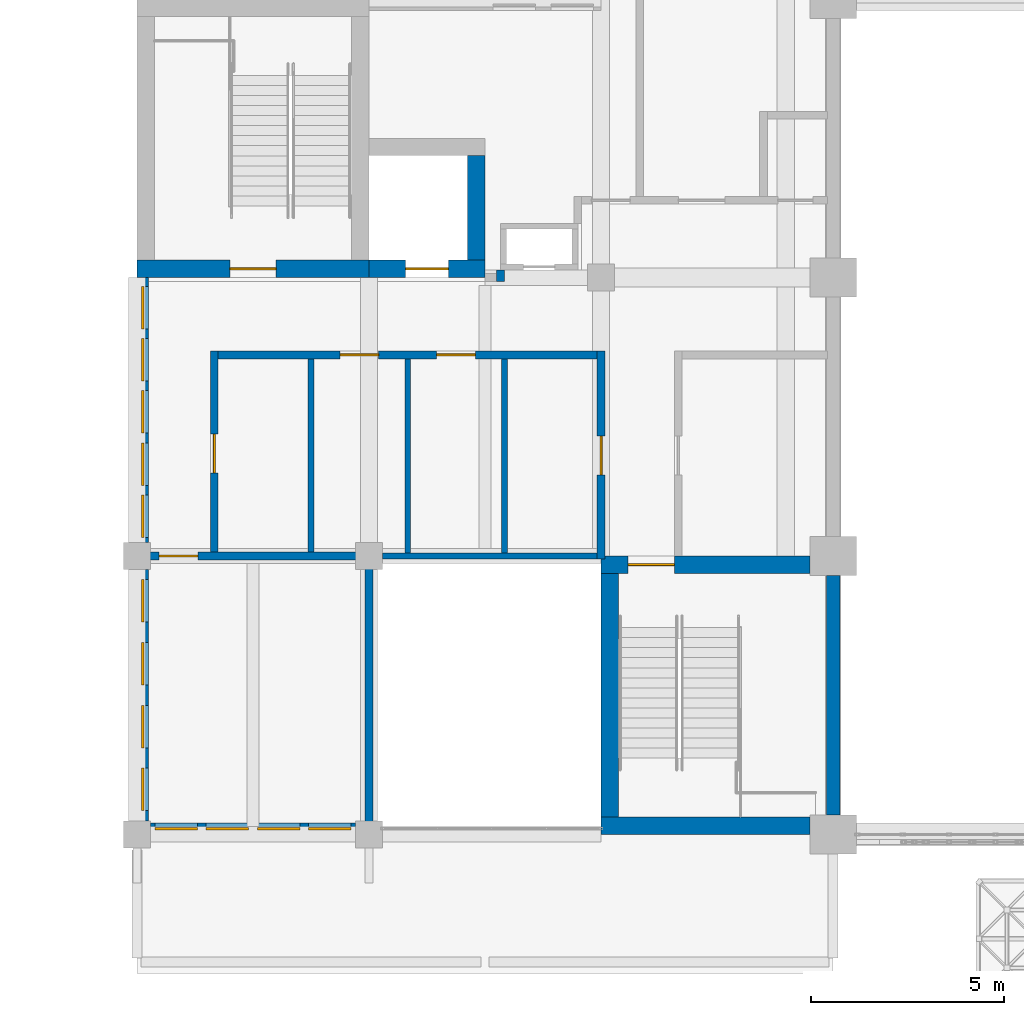
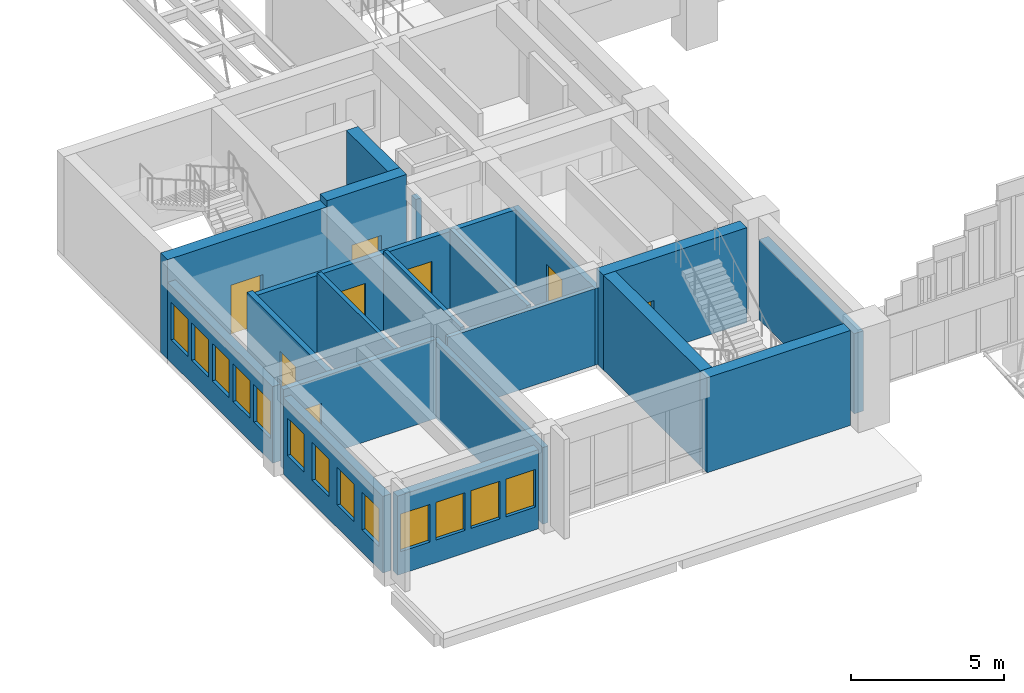
# One storey, part 62 of 103: 20 walls, 13 windows, 8 doors, 21 openings.
"""IFC4 building model written with IfcOpenShell, lengths in metres."""

import ifcopenshell
import ifcopenshell.guid

model = None  # the IFC model being written
_history = None  # IfcOwnerHistory: only IFC2X3 demands one
_inside = {}  # id of a spatial element -> (the spatial element, [elements in it])
_under = {}  # id of a project, library or spatial element -> (it, [spatial elements below it])
_declared = {}  # id of a project -> (the project, [libraries it declares])
_typed = {}  # id of a type object -> (the type object, [elements of that type])
_made_of = {}  # id of a material, layer set ... -> (it, [elements and type objects made of it])


def new_model(schema):
    """Start an empty IFC model of exactly this schema.

    Asked for "IFC4X3", IfcOpenShell would pick the latest addendum, in which some entities
    have other attributes; the version numbers below select the first issue.
    IFC2X3 requires an IfcOwnerHistory on every rooted entity: one is made here for all.
    """
    global model, _history
    if schema == "IFC4X3":
        model = ifcopenshell.file(schema_version=(4, 3, 0, 0))
    else:
        model = ifcopenshell.file(schema=schema)
    _inside.clear()
    _under.clear()
    _declared.clear()
    _typed.clear()
    _made_of.clear()
    _history = None
    if model.schema == "IFC2X3":
        org = make("IfcOrganization", Name="unknown")
        user = make(
            "IfcPersonAndOrganization",
            ThePerson=make("IfcPerson", FamilyName="unknown"),
            TheOrganization=org,
        )
        app = make(
            "IfcApplication",
            ApplicationDeveloper=org,
            Version="unknown",
            ApplicationFullName="unknown",
            ApplicationIdentifier="unknown",
        )
        _history = make(
            "IfcOwnerHistory",
            OwningUser=user,
            OwningApplication=app,
            ChangeAction="ADDED",
            CreationDate=0,
        )
    return model


def make(cls, **values):
    """One entity of the class cls with the attributes given. An attribute that is None is left unset."""
    return model.create_entity(
        cls, **{name: value for name, value in values.items() if value is not None}
    )


def rooted(cls, **values):
    """An entity with a GlobalId (a new one), such as an element, a storey or a relation."""
    return make(cls, GlobalId=ifcopenshell.guid.new(), OwnerHistory=_history, **values)


def si_unit(unit_type, name, prefix=None):
    """IfcSIUnit, for example si_unit("LENGTHUNIT", "METRE", prefix="MILLI")."""
    return make("IfcSIUnit", UnitType=unit_type, Prefix=prefix, Name=name)


def assignment(units):
    """IfcUnitAssignment: the units of a project."""
    return None if units is None else make("IfcUnitAssignment", Units=units)


def point(xyz):
    """IfcCartesianPoint."""
    return None if xyz is None else make("IfcCartesianPoint", Coordinates=xyz)


def direction(xyz):
    """IfcDirection."""
    return None if xyz is None else make("IfcDirection", DirectionRatios=xyz)


def frame(location, z_axis=None, x_axis=None):
    """IfcAxis2Placement3D, a coordinate frame: its origin and axes. An axis left out is left unset."""
    return make(
        "IfcAxis2Placement3D",
        Location=point(location),
        Axis=direction(z_axis),
        RefDirection=direction(x_axis),
    )


def frame_2d(location, x_axis=None):
    """IfcAxis2Placement2D, a coordinate frame in the plane: its origin and x axis."""
    return make(
        "IfcAxis2Placement2D", Location=point(location), RefDirection=direction(x_axis)
    )


def origin():
    """The frame at (0, 0, 0) with its axes left unset."""
    return frame((0.0, 0.0, 0.0))


def place(relative_to, where):
    """IfcLocalPlacement: puts the frame where relative to a parent placement (None: the world)."""
    return make(
        "IfcLocalPlacement", PlacementRelTo=relative_to, RelativePlacement=where
    )


def context(
    kind, dimensions, precision=None, world=None, true_north=None, identifier=None
):
    """IfcGeometricRepresentationContext, for example the 3D "Model" context."""
    return make(
        "IfcGeometricRepresentationContext",
        ContextIdentifier=identifier,
        ContextType=kind,
        CoordinateSpaceDimension=dimensions,
        Precision=precision,
        WorldCoordinateSystem=world,
        TrueNorth=true_north,
    )


def subcontext(parent, identifier, kind, view, scale=None):
    """IfcGeometricRepresentationSubContext, for example "Body" below "Model"."""
    return make(
        "IfcGeometricRepresentationSubContext",
        ContextIdentifier=identifier,
        ContextType=kind,
        ParentContext=parent,
        TargetScale=scale,
        TargetView=view,
    )


def project(units=None, contexts=None):
    """IfcProject with its units and contexts."""
    return rooted(
        "IfcProject",
        Name="project",
        RepresentationContexts=contexts,
        UnitsInContext=assignment(units),
    )


def spatial(cls, under=None, at=None, **own):
    """A site, building, storey or space (cls), placed at a placement, below another one or the project."""
    s = rooted(cls, ObjectPlacement=at, **own)
    if under is not None:
        _under.setdefault(under.id(), (under, []))[1].append(s)
    return s


def profile(cls, at=None, kind="AREA", **sizes):
    """A parametric profile (cls). Its sizes go by their IFC names, for example OverallWidth=200.0."""
    return make(cls, ProfileType=kind, Position=at, **sizes)


def rectangle(**sizes):
    """IfcRectangleProfileDef."""
    return profile("IfcRectangleProfileDef", **sizes)


def extrude(swept, where, along, depth):
    """IfcExtrudedAreaSolid: the profile swept, set in the frame where, extruded along a direction by depth."""
    return make(
        "IfcExtrudedAreaSolid",
        SweptArea=swept,
        Position=where,
        ExtrudedDirection=direction(along),
        Depth=depth,
    )


def shape(context_of_items, identifier, shape_type, items):
    """IfcShapeRepresentation: the items that make up one representation, for example the "Body"."""
    return make(
        "IfcShapeRepresentation",
        ContextOfItems=context_of_items,
        RepresentationIdentifier=identifier,
        RepresentationType=shape_type,
        Items=items,
    )


def material(Name=None, Category=None):
    """IfcMaterial."""
    return make("IfcMaterial", Name=Name, Category=Category)


def layer(
    of_material, thickness, ventilated=None, Name=None, Category=None, Priority=None
):
    """IfcMaterialLayer: one layer of a wall or slab, of a material (None: an air gap)."""
    return make(
        "IfcMaterialLayer",
        Material=of_material,
        LayerThickness=thickness,
        IsVentilated=ventilated,
        Name=Name,
        Category=Category,
        Priority=Priority,
    )


def layer_set(layers, Name=None):
    """IfcMaterialLayerSet."""
    return make("IfcMaterialLayerSet", MaterialLayers=layers, LayerSetName=Name)


def made_of(thing, what):
    """Note that an element or type object is made of a material, layer set ...; save() writes the relation."""
    if what is not None:
        _made_of.setdefault(what.id(), (what, []))[1].append(thing)
    return thing


def type_object(cls, material=None, **own):
    """A type object (cls), such as IfcWallType, which elements share."""
    return made_of(rooted(cls, **own), material)


def element(
    cls,
    number,
    at=None,
    inside=None,
    cuts=None,
    type_object=None,
    material=None,
    context=None,
    identifier="Body",
    shape_type=None,
    held_by="IfcProductDefinitionShape",
    body=None,
    shapes=None,
    **own,
):
    """One element of the class cls, such as IfcWall. Its Tag is "e" and its number.

    at: its placement. inside: the storey or other place that contains it. cuts: it is an
    opening in that element (IfcRelVoidsElement). A single representation is given by context,
    identifier, shape_type and body (its items); several are given by shapes. held_by: the class
    of the entity that holds the representations. save() writes the other relations.
    """
    e = rooted(cls, Tag="e%d" % number, ObjectPlacement=at, **own)
    if body is not None:
        shapes = [shape(context, identifier, shape_type, body)]
    if shapes is not None:
        e.Representation = make(held_by, Representations=shapes)
    if inside is not None:
        _inside.setdefault(inside.id(), (inside, []))[1].append(e)
    if cuts is not None:
        rooted(
            "IfcRelVoidsElement", RelatingBuildingElement=cuts, RelatedOpeningElement=e
        )
    if type_object is not None:
        _typed.setdefault(type_object.id(), (type_object, []))[1].append(e)
    return made_of(e, material)


def fill(opening, filler):
    """IfcRelFillsElement: the door or window that sits in an opening."""
    return rooted(
        "IfcRelFillsElement",
        RelatingOpeningElement=opening,
        RelatedBuildingElement=filler,
    )


def aggregate(whole, parts):
    """IfcRelAggregates: a whole, such as a stair, and the parts it consists of."""
    return rooted("IfcRelAggregates", RelatingObject=whole, RelatedObjects=parts)


def save(model, path):
    """Write the relations noted so far, then the file.

    IfcRelAggregates (storeys below a building ...), IfcRelContainedInSpatialStructure (elements
    in a storey), IfcRelDefinesByType, IfcRelAssociatesMaterial and IfcRelDeclares: one each for
    every whole, place, type object, material and project.
    """
    for whole, parts in _under.values():
        aggregate(whole, parts)
    for where, things in _inside.values():
        rooted(
            "IfcRelContainedInSpatialStructure",
            RelatedElements=things,
            RelatingStructure=where,
        )
    for kind, things in _typed.values():
        rooted("IfcRelDefinesByType", RelatedObjects=things, RelatingType=kind)
    for what, things in _made_of.values():
        rooted("IfcRelAssociatesMaterial", RelatedObjects=things, RelatingMaterial=what)
    for by, libraries in _declared.values():
        rooted("IfcRelDeclares", RelatingContext=by, RelatedDefinitions=libraries)
    model.write(path)


model = new_model("IFC4")

# Units and contexts
model_context = context("Model", 3, precision=1e-05, world=origin(), true_north=direction((0.0, 1.0)))
body_context = subcontext(model_context, "Body", "Model", "MODEL_VIEW")
ifc_project = project(units=[si_unit("LENGTHUNIT", "METRE"), si_unit("AREAUNIT", "SQUARE_METRE"), si_unit("VOLUMEUNIT", "CUBIC_METRE"), si_unit("PLANEANGLEUNIT", "RADIAN"), si_unit("MASSUNIT", "GRAM", prefix="KILO")], contexts=[model_context])

# Site, building, storey
site_placement = place(None, origin())
site = spatial("IfcSite", under=ifc_project, at=site_placement, CompositionType="ELEMENT")
building_placement = place(site_placement, origin())
building = spatial("IfcBuilding", under=site, at=building_placement, Name="Laocheng Heights Fire and Rescue Headquarters", CompositionType="ELEMENT")
storey_placement = place(building_placement, frame((0.0, 0.0, 4.199951171875)))
storey = spatial("IfcBuildingStorey", under=building, at=storey_placement, Name="L01", CompositionType="ELEMENT", Elevation=4.199951171875)

# Wall, opening, door
ifc_material_1 = material(Name="Gypsum plaster")
ifc_layer_1 = layer(ifc_material_1, 0.010009765625, Name="PLASTER", Category="plaster")
ifc_material_2 = material(Name="Concrete blockwork MU10", Category="masonry")
ifc_layer_2 = layer(ifc_material_2, 0.179931640625, Name="BLOCKWORK", Category="masonry")
ifc_layer_3 = layer(ifc_material_1, 0.010009765625, Name="PLASTER", Category="plaster")
ifc_layer_set_1 = layer_set([ifc_layer_1, ifc_layer_2, ifc_layer_3], Name="Concrete blockwork MU10")
wall_type_1 = type_object("IfcWallType", Name="BLOCKWORK FIRE PARTITION 200 EI 60 BAY", PredefinedType="PARTITIONING", material=ifc_layer_set_1)
wall_1_placement = place(storey_placement, frame((2.0, 7.300048828125, 0.0), z_axis=(0.0, 0.0, 1.0), x_axis=(0.0, 1.0, 0.0)))
wall_1 = element("IfcWall", 1, at=wall_1_placement, inside=storey, type_object=wall_type_1, Name="Partition L01-001", PredefinedType="PARTITIONING", context=body_context, shape_type="SweptSolid", body=[
    extrude(rectangle(XDim=5.199951171875, YDim=0.199951171875, at=frame_2d((2.60009765625, 0.0))), origin(), (0.0, 0.0, 1.0), 3.150146484375),
])
opening_1_placement = place(wall_1_placement, frame((2.050048828125, 0.0, 0.0)))
opening_1 = element("IfcOpeningElement", 2, at=opening_1_placement, cuts=wall_1, Name="Opening L01-I14", PredefinedType="OPENING", context=body_context, shape_type="SweptSolid", body=[
    extrude(rectangle(XDim=1.0, YDim=2.10009765625, at=frame_2d((0.5, 1.050048828125))), frame((0.0, 0.10986328125, 0.0), z_axis=(0.0, -1.0, 0.0), x_axis=(1.0, 0.0, 0.0)), (0.0, 0.0, 1.0), 0.219970703125),
])
ifc_material_3 = material(Name="Steel door leaf, painted", Category="steel")
door_type_1 = type_object("IfcDoorType", Name="STEEL FIRE DOOR 1000x2100 EI 60 BAY", OperationType="SINGLE_SWING_LEFT", PredefinedType="DOOR", material=ifc_material_3)
door_1_placement = place(opening_1_placement, frame((1.0, 0.0, 0.0), z_axis=(0.0, 0.0, 1.0), x_axis=(-1.0, 0.0, 0.0)))
door_1 = element("IfcDoor", 3, at=door_1_placement, inside=storey, type_object=door_type_1, Name="Door L01-I14", OperationType="SINGLE_SWING_LEFT", OverallHeight=2.10009765625, OverallWidth=1.0, PredefinedType="DOOR", context=body_context, shape_type="SweptSolid", body=[
    extrude(rectangle(XDim=1.0, YDim=2.10009765625, at=frame_2d((0.5, 1.050048828125))), frame((0.0, 0.02490234375, 0.0), z_axis=(0.0, -1.0, 0.0), x_axis=(1.0, 0.0, 0.0)), (0.0, 0.0, 1.0), 0.050048828125),
])
fill(opening_1, door_1)

# Walls
wall_2_placement = place(storey_placement, frame((6.0, 0.14990234375, 0.0), z_axis=(0.0, 0.0, 1.0), x_axis=(0.0, 1.0, 0.0)))
element("IfcWall", 4, at=wall_2_placement, inside=storey, type_object=wall_type_1, Name="Partition L01-003", PredefinedType="PARTITIONING", context=body_context, shape_type="SweptSolid", body=[
    extrude(rectangle(XDim=7.150146484375, YDim=0.199951171875, at=frame_2d((3.5751953125, 0.0))), origin(), (0.0, 0.0, 1.0), 3.050048828125),
])
wall_3_placement = place(storey_placement, frame((9.39990234375, 14.300048828125, 0.0), z_axis=(0.0, 0.0, 1.0), x_axis=(0.0, 1.0, 0.0)))
element("IfcWall", 5, at=wall_3_placement, inside=storey, type_object=wall_type_1, Name="Partition L01-005", PredefinedType="PARTITIONING", context=body_context, shape_type="SweptSolid", body=[
    extrude(rectangle(XDim=0.300048828125, YDim=0.199951171875, at=frame_2d((0.14990234375, 0.0))), origin(), (0.0, 0.0, 1.0), 3.150146484375),
])

# Wall, opening, door
wall_4_placement = place(storey_placement, frame((12.0, 7.125, 0.0), z_axis=(0.0, 0.0, 1.0), x_axis=(0.0, 1.0, 0.0)))
wall_4 = element("IfcWall", 6, at=wall_4_placement, inside=storey, type_object=wall_type_1, Name="Partition L01-008", PredefinedType="PARTITIONING", context=body_context, shape_type="SweptSolid", body=[
    extrude(rectangle(XDim=5.375, YDim=0.199951171875, at=frame_2d((2.6875, 0.0))), origin(), (0.0, 0.0, 1.0), 3.050048828125),
])
opening_2_placement = place(wall_4_placement, frame((2.175048828125, 0.0, 0.0)))
opening_2 = element("IfcOpeningElement", 7, at=opening_2_placement, cuts=wall_4, Name="Opening L01-I23", PredefinedType="OPENING", context=body_context, shape_type="SweptSolid", body=[
    extrude(rectangle(XDim=1.0, YDim=2.10009765625, at=frame_2d((0.5, 1.050048828125))), frame((0.0, 0.10986328125, 0.0), z_axis=(0.0, -1.0, 0.0), x_axis=(1.0, 0.0, 0.0)), (0.0, 0.0, 1.0), 0.219970703125),
])
door_2_placement = place(opening_2_placement, origin())
door_2 = element("IfcDoor", 8, at=door_2_placement, inside=storey, type_object=door_type_1, Name="Door L01-I23", OperationType="SINGLE_SWING_RIGHT", OverallHeight=2.10009765625, OverallWidth=1.0, PredefinedType="DOOR", context=body_context, shape_type="SweptSolid", body=[
    extrude(rectangle(XDim=1.0, YDim=2.10009765625, at=frame_2d((0.5, 1.050048828125))), frame((0.0, 0.02490234375, 0.0), z_axis=(0.0, -1.0, 0.0), x_axis=(1.0, 0.0, 0.0)), (0.0, 0.0, 1.0), 0.050048828125),
])
fill(opening_2, door_2)

wall_5_placement = place(storey_placement, frame((0.14990234375, 7.199951171875, 0.0), z_axis=(0.0, 0.0, 1.0), x_axis=(1.0, 0.0, 0.0)))
wall_5 = element("IfcWall", 9, at=wall_5_placement, inside=storey, type_object=wall_type_1, Name="Partition L01-028", PredefinedType="PARTITIONING", context=body_context, shape_type="SweptSolid", body=[
    extrude(rectangle(XDim=5.75, YDim=0.199951171875, at=frame_2d((2.875, 0.0))), origin(), (0.0, 0.0, 1.0), 3.150146484375),
])
opening_3_placement = place(wall_5_placement, frame((0.425048828125, 0.0, 0.0)))
opening_3 = element("IfcOpeningElement", 10, at=opening_3_placement, cuts=wall_5, Name="Opening L01-I01", PredefinedType="OPENING", context=body_context, shape_type="SweptSolid", body=[
    extrude(rectangle(XDim=1.0, YDim=2.10009765625, at=frame_2d((0.5, 1.050048828125))), frame((0.0, 0.10986328125, 0.0), z_axis=(0.0, -1.0, 0.0), x_axis=(1.0, 0.0, 0.0)), (0.0, 0.0, 1.0), 0.219970703125),
])
door_3_placement = place(opening_3_placement, frame((1.0, 0.0, 0.0), z_axis=(0.0, 0.0, 1.0), x_axis=(-1.0, 0.0, 0.0)))
door_3 = element("IfcDoor", 11, at=door_3_placement, inside=storey, type_object=door_type_1, Name="Door L01-I01", OperationType="SINGLE_SWING_RIGHT", OverallHeight=2.10009765625, OverallWidth=1.0, PredefinedType="DOOR", context=body_context, shape_type="SweptSolid", body=[
    extrude(rectangle(XDim=1.0, YDim=2.10009765625, at=frame_2d((0.5, 1.050048828125))), frame((0.0, 0.02490234375, 0.0), z_axis=(0.0, -1.0, 0.0), x_axis=(1.0, 0.0, 0.0)), (0.0, 0.0, 1.0), 0.050048828125),
])
fill(opening_3, door_3)

# Wall, openings, doors
wall_6_placement = place(storey_placement, frame((2.10009765625, 12.39990234375, 0.0), z_axis=(0.0, 0.0, 1.0), x_axis=(1.0, 0.0, 0.0)))
wall_6 = element("IfcWall", 12, at=wall_6_placement, inside=storey, type_object=wall_type_1, Name="Partition L01-032", PredefinedType="PARTITIONING", context=body_context, shape_type="SweptSolid", body=[
    extrude(rectangle(XDim=9.7998046875, YDim=0.199951171875, at=frame_2d((4.89990234375, 0.0))), origin(), (0.0, 0.0, 1.0), 3.050048828125),
])
opening_4_placement = place(wall_6_placement, frame((3.14990234375, 0.0, 0.0)))
opening_4 = element("IfcOpeningElement", 13, at=opening_4_placement, cuts=wall_6, Name="Opening L01-I17", PredefinedType="OPENING", context=body_context, shape_type="SweptSolid", body=[
    extrude(rectangle(XDim=1.0, YDim=2.10009765625, at=frame_2d((0.5, 1.050048828125))), frame((0.0, 0.10986328125, 0.0), z_axis=(0.0, -1.0, 0.0), x_axis=(1.0, 0.0, 0.0)), (0.0, 0.0, 1.0), 0.219970703125),
])
opening_5_placement = place(wall_6_placement, frame((5.64990234375, 0.0, 0.0)))
opening_5 = element("IfcOpeningElement", 14, at=opening_5_placement, cuts=wall_6, Name="Opening L01-I20", PredefinedType="OPENING", context=body_context, shape_type="SweptSolid", body=[
    extrude(rectangle(XDim=1.0, YDim=2.10009765625, at=frame_2d((0.5, 1.050048828125))), frame((0.0, 0.10986328125, 0.0), z_axis=(0.0, -1.0, 0.0), x_axis=(1.0, 0.0, 0.0)), (0.0, 0.0, 1.0), 0.219970703125),
])
door_4_placement = place(opening_4_placement, frame((1.0, 0.0, 0.0), z_axis=(0.0, 0.0, 1.0), x_axis=(-1.0, 0.0, 0.0)))
door_4 = element("IfcDoor", 15, at=door_4_placement, inside=storey, type_object=door_type_1, Name="Door L01-I17", OperationType="SINGLE_SWING_RIGHT", OverallHeight=2.10009765625, OverallWidth=1.0, PredefinedType="DOOR", context=body_context, shape_type="SweptSolid", body=[
    extrude(rectangle(XDim=1.0, YDim=2.10009765625, at=frame_2d((0.5, 1.050048828125))), frame((0.0, 0.02490234375, 0.0), z_axis=(0.0, -1.0, 0.0), x_axis=(1.0, 0.0, 0.0)), (0.0, 0.0, 1.0), 0.050048828125),
])
fill(opening_4, door_4)
door_5_placement = place(opening_5_placement, frame((1.0, 0.0, 0.0), z_axis=(0.0, 0.0, 1.0), x_axis=(-1.0, 0.0, 0.0)))
door_5 = element("IfcDoor", 16, at=door_5_placement, inside=storey, type_object=door_type_1, Name="Door L01-I20", OperationType="SINGLE_SWING_RIGHT", OverallHeight=2.10009765625, OverallWidth=1.0, PredefinedType="DOOR", context=body_context, shape_type="SweptSolid", body=[
    extrude(rectangle(XDim=1.0, YDim=2.10009765625, at=frame_2d((0.5, 1.050048828125))), frame((0.0, 0.02490234375, 0.0), z_axis=(0.0, -1.0, 0.0), x_axis=(1.0, 0.0, 0.0)), (0.0, 0.0, 1.0), 0.050048828125),
])
fill(opening_5, door_5)

# Walls
ifc_material_4 = material(Name="Gypsum plaster")
ifc_layer_4 = layer(ifc_material_4, 0.010009765625, Name="PLASTER", Category="plaster")
ifc_material_5 = material(Name="Concrete blockwork MU10", Category="masonry")
ifc_layer_5 = layer(ifc_material_5, 0.1298828125, Name="BLOCKWORK", Category="masonry")
ifc_layer_6 = layer(ifc_material_4, 0.010009765625, Name="PLASTER", Category="plaster")
ifc_layer_set_2 = layer_set([ifc_layer_4, ifc_layer_5, ifc_layer_6], Name="Concrete blockwork MU10")
wall_type_2 = type_object("IfcWallType", Name="BLOCKWORK PARTITION 150 EI 45 BAY", PredefinedType="PARTITIONING", material=ifc_layer_set_2)
wall_7_placement = place(storey_placement, frame((4.5, 7.300048828125, 0.0), z_axis=(0.0, 0.0, 1.0), x_axis=(0.0, 1.0, 0.0)))
element("IfcWall", 17, at=wall_7_placement, inside=storey, type_object=wall_type_2, Name="Partition L01-002", PredefinedType="PARTITIONING", context=body_context, shape_type="SweptSolid", body=[
    extrude(rectangle(XDim=5.0, YDim=0.14990234375, at=frame_2d((2.5, 0.0))), origin(), (0.0, 0.0, 1.0), 3.150146484375),
])
for number, where, z_axis, x_axis, name in (
    (18, (7.0, 7.27490234375, 0.0), (0.0, 0.0, 1.0), (0.0, 1.0, 0.0), "Partition L01-004"),
    (19, (9.5, 7.27490234375, 0.0), (0.0, 0.0, 1.0), (0.0, 1.0, 0.0), "Partition L01-006"),
):
    element("IfcWall", number, at=place(storey_placement, frame(where, z_axis=z_axis, x_axis=x_axis)), inside=storey, type_object=wall_type_2, Name=name, PredefinedType="PARTITIONING", context=body_context, shape_type="SweptSolid", body=[
        extrude(rectangle(XDim=5.025146484375, YDim=0.14990234375, at=frame_2d((2.5126953125, 0.0))), origin(), (0.0, 0.0, 1.0), 3.150146484375),
    ])
wall_8_placement = place(storey_placement, frame((6.35009765625, 7.199951171875, 0.0), z_axis=(0.0, 0.0, 1.0), x_axis=(1.0, 0.0, 0.0)))
element("IfcWall", 20, at=wall_8_placement, inside=storey, type_object=wall_type_2, Name="Partition L01-029", PredefinedType="PARTITIONING", context=body_context, shape_type="SweptSolid", body=[
    extrude(rectangle(XDim=5.5498046875, YDim=0.14990234375, at=frame_2d((2.77490234375, 0.0))), origin(), (0.0, 0.0, 1.0), 3.050048828125),
])

# Wall, openings, windows
ifc_material_6 = material(Name="Precast concrete C40/50", Category="concrete")
ifc_layer_7 = layer(ifc_material_6, 0.300048828125)
ifc_layer_set_3 = layer_set([ifc_layer_7], Name="Precast concrete C40/50")
wall_type_3 = type_object("IfcWallType", Name="PRECAST SANDWICH WALL 300 WEST FLANK", PredefinedType="SOLIDWALL", material=ifc_layer_set_3)
wall_9_placement = place(storey_placement, frame((0.35009765625, 0.14990234375, 0.0), z_axis=(0.0, 0.0, 1.0), x_axis=(1.0, 0.0, 0.0)))
wall_9 = element("IfcWall", 21, at=wall_9_placement, inside=storey, type_object=wall_type_3, Name="Flank W wall L01", PredefinedType="SOLIDWALL", context=body_context, shape_type="SweptSolid", body=[
    extrude(rectangle(XDim=5.2998046875, YDim=0.300048828125, at=frame_2d((2.64990234375, 0.0))), origin(), (0.0, 0.0, 1.0), 3.150146484375),
])
opening_6_placement = place(wall_9_placement, frame((0.112548828125, 0.0, 0.89990234375)))
opening_6 = element("IfcOpeningElement", 22, at=opening_6_placement, cuts=wall_9, Name="Opening N1-E", PredefinedType="OPENING", context=body_context, shape_type="SweptSolid", body=[
    extrude(rectangle(XDim=1.10009765625, YDim=1.5, at=frame_2d((0.550048828125, 0.75))), frame((0.0, 0.159912109375, 0.0), z_axis=(0.0, -1.0, 0.0), x_axis=(1.0, 0.0, 0.0)), (0.0, 0.0, 1.0), 0.320068359375),
])
opening_7_placement = place(wall_9_placement, frame((1.4375, 0.0, 0.89990234375)))
opening_7 = element("IfcOpeningElement", 23, at=opening_7_placement, cuts=wall_9, Name="Opening N1-E", PredefinedType="OPENING", context=body_context, shape_type="SweptSolid", body=[
    extrude(rectangle(XDim=1.10009765625, YDim=1.5, at=frame_2d((0.550048828125, 0.75))), frame((0.0, 0.159912109375, 0.0), z_axis=(0.0, -1.0, 0.0), x_axis=(1.0, 0.0, 0.0)), (0.0, 0.0, 1.0), 0.320068359375),
])
opening_8_placement = place(wall_9_placement, frame((2.762451171875, 0.0, 0.89990234375)))
opening_8 = element("IfcOpeningElement", 24, at=opening_8_placement, cuts=wall_9, Name="Opening N1-E", PredefinedType="OPENING", context=body_context, shape_type="SweptSolid", body=[
    extrude(rectangle(XDim=1.10009765625, YDim=1.5, at=frame_2d((0.550048828125, 0.75))), frame((0.0, 0.159912109375, 0.0), z_axis=(0.0, -1.0, 0.0), x_axis=(1.0, 0.0, 0.0)), (0.0, 0.0, 1.0), 0.320068359375),
])
opening_9_placement = place(wall_9_placement, frame((4.08740234375, 0.0, 0.89990234375)))
opening_9 = element("IfcOpeningElement", 25, at=opening_9_placement, cuts=wall_9, Name="Opening N1-E", PredefinedType="OPENING", context=body_context, shape_type="SweptSolid", body=[
    extrude(rectangle(XDim=1.10009765625, YDim=1.5, at=frame_2d((0.550048828125, 0.75))), frame((0.0, 0.159912109375, 0.0), z_axis=(0.0, -1.0, 0.0), x_axis=(1.0, 0.0, 0.0)), (0.0, 0.0, 1.0), 0.320068359375),
])
ifc_material_7 = material(Name="Low-e double glazing in thermally broken aluminium frame", Category="aluminium")
window_type = type_object("IfcWindowType", Name="CASEMENT WINDOW 1100 x 1500 SILL 900", PartitioningType="SINGLE_PANEL", PredefinedType="WINDOW", material=ifc_material_7)
window_1_placement = place(opening_6_placement, origin())
window_1 = element("IfcWindow", 26, at=window_1_placement, inside=storey, type_object=window_type, Name="Flank_W window L01", OverallHeight=1.5, OverallWidth=1.10009765625, PartitioningType="SINGLE_PANEL", PredefinedType="WINDOW", context=body_context, shape_type="SweptSolid", body=[
    extrude(rectangle(XDim=1.10009765625, YDim=1.5, at=frame_2d((0.550048828125, 0.75))), frame((0.0, 0.030029296875, 0.0), z_axis=(0.0, -1.0, 0.0), x_axis=(1.0, 0.0, 0.0)), (0.0, 0.0, 1.0), 0.06005859375),
])
fill(opening_6, window_1)
window_2_placement = place(opening_7_placement, origin())
window_2 = element("IfcWindow", 27, at=window_2_placement, inside=storey, type_object=window_type, Name="Flank_W window L01", OverallHeight=1.5, OverallWidth=1.10009765625, PartitioningType="SINGLE_PANEL", PredefinedType="WINDOW", context=body_context, shape_type="SweptSolid", body=[
    extrude(rectangle(XDim=1.10009765625, YDim=1.5, at=frame_2d((0.550048828125, 0.75))), frame((0.0, 0.030029296875, 0.0), z_axis=(0.0, -1.0, 0.0), x_axis=(1.0, 0.0, 0.0)), (0.0, 0.0, 1.0), 0.06005859375),
])
fill(opening_7, window_2)
window_3_placement = place(opening_8_placement, origin())
window_3 = element("IfcWindow", 28, at=window_3_placement, inside=storey, type_object=window_type, Name="Flank_W window L01", OverallHeight=1.5, OverallWidth=1.10009765625, PartitioningType="SINGLE_PANEL", PredefinedType="WINDOW", context=body_context, shape_type="SweptSolid", body=[
    extrude(rectangle(XDim=1.10009765625, YDim=1.5, at=frame_2d((0.550048828125, 0.75))), frame((0.0, 0.030029296875, 0.0), z_axis=(0.0, -1.0, 0.0), x_axis=(1.0, 0.0, 0.0)), (0.0, 0.0, 1.0), 0.06005859375),
])
fill(opening_8, window_3)
window_4_placement = place(opening_9_placement, origin())
window_4 = element("IfcWindow", 29, at=window_4_placement, inside=storey, type_object=window_type, Name="Flank_W window L01", OverallHeight=1.5, OverallWidth=1.10009765625, PartitioningType="SINGLE_PANEL", PredefinedType="WINDOW", context=body_context, shape_type="SweptSolid", body=[
    extrude(rectangle(XDim=1.10009765625, YDim=1.5, at=frame_2d((0.550048828125, 0.75))), frame((0.0, 0.030029296875, 0.0), z_axis=(0.0, -1.0, 0.0), x_axis=(1.0, 0.0, 0.0)), (0.0, 0.0, 1.0), 0.06005859375),
])
fill(opening_9, window_4)

wall_10_placement = place(storey_placement, frame((0.14990234375, 0.35009765625, 0.0), z_axis=(0.0, 0.0, 1.0), x_axis=(0.0, 1.0, 0.0)))
wall_10 = element("IfcWall", 30, at=wall_10_placement, inside=storey, type_object=wall_type_3, Name="Flank W wall L01", PredefinedType="SOLIDWALL", context=body_context, shape_type="SweptSolid", body=[
    extrude(rectangle(XDim=6.5, YDim=0.300048828125, at=frame_2d((3.25, 0.0))), origin(), (0.0, 0.0, 1.0), 3.050048828125),
])
opening_10_placement = place(wall_10_placement, frame((0.262451171875, 0.0, 0.89990234375)))
opening_10 = element("IfcOpeningElement", 31, at=opening_10_placement, cuts=wall_10, Name="Opening N1-E", PredefinedType="OPENING", context=body_context, shape_type="SweptSolid", body=[
    extrude(rectangle(XDim=1.10009765625, YDim=1.5, at=frame_2d((0.550048828125, 0.75))), frame((0.0, 0.159912109375, 0.0), z_axis=(0.0, -1.0, 0.0), x_axis=(1.0, 0.0, 0.0)), (0.0, 0.0, 1.0), 0.320068359375),
])
opening_11_placement = place(wall_10_placement, frame((1.887451171875, 0.0, 0.89990234375)))
opening_11 = element("IfcOpeningElement", 32, at=opening_11_placement, cuts=wall_10, Name="Opening N1-E", PredefinedType="OPENING", context=body_context, shape_type="SweptSolid", body=[
    extrude(rectangle(XDim=1.10009765625, YDim=1.5, at=frame_2d((0.550048828125, 0.75))), frame((0.0, 0.159912109375, 0.0), z_axis=(0.0, -1.0, 0.0), x_axis=(1.0, 0.0, 0.0)), (0.0, 0.0, 1.0), 0.320068359375),
])
opening_12_placement = place(wall_10_placement, frame((3.512451171875, 0.0, 0.89990234375)))
opening_12 = element("IfcOpeningElement", 33, at=opening_12_placement, cuts=wall_10, Name="Opening N1-E", PredefinedType="OPENING", context=body_context, shape_type="SweptSolid", body=[
    extrude(rectangle(XDim=1.10009765625, YDim=1.5, at=frame_2d((0.550048828125, 0.75))), frame((0.0, 0.159912109375, 0.0), z_axis=(0.0, -1.0, 0.0), x_axis=(1.0, 0.0, 0.0)), (0.0, 0.0, 1.0), 0.320068359375),
])
opening_13_placement = place(wall_10_placement, frame((5.137451171875, 0.0, 0.89990234375)))
opening_13 = element("IfcOpeningElement", 34, at=opening_13_placement, cuts=wall_10, Name="Opening N1-E", PredefinedType="OPENING", context=body_context, shape_type="SweptSolid", body=[
    extrude(rectangle(XDim=1.10009765625, YDim=1.5, at=frame_2d((0.550048828125, 0.75))), frame((0.0, 0.159912109375, 0.0), z_axis=(0.0, -1.0, 0.0), x_axis=(1.0, 0.0, 0.0)), (0.0, 0.0, 1.0), 0.320068359375),
])
window_5_placement = place(opening_10_placement, origin())
window_5 = element("IfcWindow", 35, at=window_5_placement, inside=storey, type_object=window_type, Name="Flank_W window L01", OverallHeight=1.5, OverallWidth=1.10009765625, PartitioningType="SINGLE_PANEL", PredefinedType="WINDOW", context=body_context, shape_type="SweptSolid", body=[
    extrude(rectangle(XDim=1.10009765625, YDim=1.5, at=frame_2d((0.550048828125, 0.75))), frame((0.0, 0.030029296875, 0.0), z_axis=(0.0, -1.0, 0.0), x_axis=(1.0, 0.0, 0.0)), (0.0, 0.0, 1.0), 0.06005859375),
])
fill(opening_10, window_5)
window_6_placement = place(opening_11_placement, origin())
window_6 = element("IfcWindow", 36, at=window_6_placement, inside=storey, type_object=window_type, Name="Flank_W window L01", OverallHeight=1.5, OverallWidth=1.10009765625, PartitioningType="SINGLE_PANEL", PredefinedType="WINDOW", context=body_context, shape_type="SweptSolid", body=[
    extrude(rectangle(XDim=1.10009765625, YDim=1.5, at=frame_2d((0.550048828125, 0.75))), frame((0.0, 0.030029296875, 0.0), z_axis=(0.0, -1.0, 0.0), x_axis=(1.0, 0.0, 0.0)), (0.0, 0.0, 1.0), 0.06005859375),
])
fill(opening_11, window_6)
window_7_placement = place(opening_12_placement, origin())
window_7 = element("IfcWindow", 37, at=window_7_placement, inside=storey, type_object=window_type, Name="Flank_W window L01", OverallHeight=1.5, OverallWidth=1.10009765625, PartitioningType="SINGLE_PANEL", PredefinedType="WINDOW", context=body_context, shape_type="SweptSolid", body=[
    extrude(rectangle(XDim=1.10009765625, YDim=1.5, at=frame_2d((0.550048828125, 0.75))), frame((0.0, 0.030029296875, 0.0), z_axis=(0.0, -1.0, 0.0), x_axis=(1.0, 0.0, 0.0)), (0.0, 0.0, 1.0), 0.06005859375),
])
fill(opening_12, window_7)
window_8_placement = place(opening_13_placement, origin())
window_8 = element("IfcWindow", 38, at=window_8_placement, inside=storey, type_object=window_type, Name="Flank_W window L01", OverallHeight=1.5, OverallWidth=1.10009765625, PartitioningType="SINGLE_PANEL", PredefinedType="WINDOW", context=body_context, shape_type="SweptSolid", body=[
    extrude(rectangle(XDim=1.10009765625, YDim=1.5, at=frame_2d((0.550048828125, 0.75))), frame((0.0, 0.030029296875, 0.0), z_axis=(0.0, -1.0, 0.0), x_axis=(1.0, 0.0, 0.0)), (0.0, 0.0, 1.0), 0.06005859375),
])
fill(opening_13, window_8)

wall_11_placement = place(storey_placement, frame((0.14990234375, 7.550048828125, 0.0), z_axis=(0.0, 0.0, 1.0), x_axis=(0.0, 1.0, 0.0)))
wall_11 = element("IfcWall", 39, at=wall_11_placement, inside=storey, type_object=wall_type_3, Name="Flank W wall L01", PredefinedType="SOLIDWALL", context=body_context, shape_type="SweptSolid", body=[
    extrude(rectangle(XDim=6.849853515625, YDim=0.300048828125, at=frame_2d((3.4248046875, 0.0))), origin(), (0.0, 0.0, 1.0), 3.050048828125),
])
opening_14_placement = place(wall_11_placement, frame((0.125, 0.0, 0.89990234375)))
opening_14 = element("IfcOpeningElement", 40, at=opening_14_placement, cuts=wall_11, Name="Opening N1-E", PredefinedType="OPENING", context=body_context, shape_type="SweptSolid", body=[
    extrude(rectangle(XDim=1.10009765625, YDim=1.5, at=frame_2d((0.550048828125, 0.75))), frame((0.0, 0.159912109375, 0.0), z_axis=(0.0, -1.0, 0.0), x_axis=(1.0, 0.0, 0.0)), (0.0, 0.0, 1.0), 0.320068359375),
])
opening_15_placement = place(wall_11_placement, frame((1.47509765625, 0.0, 0.89990234375)))
opening_15 = element("IfcOpeningElement", 41, at=opening_15_placement, cuts=wall_11, Name="Opening N1-E", PredefinedType="OPENING", context=body_context, shape_type="SweptSolid", body=[
    extrude(rectangle(XDim=1.10009765625, YDim=1.5, at=frame_2d((0.550048828125, 0.75))), frame((0.0, 0.159912109375, 0.0), z_axis=(0.0, -1.0, 0.0), x_axis=(1.0, 0.0, 0.0)), (0.0, 0.0, 1.0), 0.320068359375),
])
opening_16_placement = place(wall_11_placement, frame((2.824951171875, 0.0, 0.89990234375)))
opening_16 = element("IfcOpeningElement", 42, at=opening_16_placement, cuts=wall_11, Name="Opening N1-E", PredefinedType="OPENING", context=body_context, shape_type="SweptSolid", body=[
    extrude(rectangle(XDim=1.10009765625, YDim=1.5, at=frame_2d((0.550048828125, 0.75))), frame((0.0, 0.159912109375, 0.0), z_axis=(0.0, -1.0, 0.0), x_axis=(1.0, 0.0, 0.0)), (0.0, 0.0, 1.0), 0.320068359375),
])
opening_17_placement = place(wall_11_placement, frame((4.175048828125, 0.0, 0.89990234375)))
opening_17 = element("IfcOpeningElement", 43, at=opening_17_placement, cuts=wall_11, Name="Opening N1-E", PredefinedType="OPENING", context=body_context, shape_type="SweptSolid", body=[
    extrude(rectangle(XDim=1.10009765625, YDim=1.5, at=frame_2d((0.550048828125, 0.75))), frame((0.0, 0.159912109375, 0.0), z_axis=(0.0, -1.0, 0.0), x_axis=(1.0, 0.0, 0.0)), (0.0, 0.0, 1.0), 0.320068359375),
])
opening_18_placement = place(wall_11_placement, frame((5.52490234375, 0.0, 0.89990234375)))
opening_18 = element("IfcOpeningElement", 44, at=opening_18_placement, cuts=wall_11, Name="Opening N1-E", PredefinedType="OPENING", context=body_context, shape_type="SweptSolid", body=[
    extrude(rectangle(XDim=1.10009765625, YDim=1.5, at=frame_2d((0.550048828125, 0.75))), frame((0.0, 0.159912109375, 0.0), z_axis=(0.0, -1.0, 0.0), x_axis=(1.0, 0.0, 0.0)), (0.0, 0.0, 1.0), 0.320068359375),
])
window_9_placement = place(opening_14_placement, origin())
window_9 = element("IfcWindow", 45, at=window_9_placement, inside=storey, type_object=window_type, Name="Flank_W window L01", OverallHeight=1.5, OverallWidth=1.10009765625, PartitioningType="SINGLE_PANEL", PredefinedType="WINDOW", context=body_context, shape_type="SweptSolid", body=[
    extrude(rectangle(XDim=1.10009765625, YDim=1.5, at=frame_2d((0.550048828125, 0.75))), frame((0.0, 0.030029296875, 0.0), z_axis=(0.0, -1.0, 0.0), x_axis=(1.0, 0.0, 0.0)), (0.0, 0.0, 1.0), 0.06005859375),
])
fill(opening_14, window_9)
window_10_placement = place(opening_15_placement, origin())
window_10 = element("IfcWindow", 46, at=window_10_placement, inside=storey, type_object=window_type, Name="Flank_W window L01", OverallHeight=1.5, OverallWidth=1.10009765625, PartitioningType="SINGLE_PANEL", PredefinedType="WINDOW", context=body_context, shape_type="SweptSolid", body=[
    extrude(rectangle(XDim=1.10009765625, YDim=1.5, at=frame_2d((0.550048828125, 0.75))), frame((0.0, 0.030029296875, 0.0), z_axis=(0.0, -1.0, 0.0), x_axis=(1.0, 0.0, 0.0)), (0.0, 0.0, 1.0), 0.06005859375),
])
fill(opening_15, window_10)
window_11_placement = place(opening_16_placement, origin())
window_11 = element("IfcWindow", 47, at=window_11_placement, inside=storey, type_object=window_type, Name="Flank_W window L01", OverallHeight=1.5, OverallWidth=1.10009765625, PartitioningType="SINGLE_PANEL", PredefinedType="WINDOW", context=body_context, shape_type="SweptSolid", body=[
    extrude(rectangle(XDim=1.10009765625, YDim=1.5, at=frame_2d((0.550048828125, 0.75))), frame((0.0, 0.030029296875, 0.0), z_axis=(0.0, -1.0, 0.0), x_axis=(1.0, 0.0, 0.0)), (0.0, 0.0, 1.0), 0.06005859375),
])
fill(opening_16, window_11)
window_12_placement = place(opening_17_placement, origin())
window_12 = element("IfcWindow", 48, at=window_12_placement, inside=storey, type_object=window_type, Name="Flank_W window L01", OverallHeight=1.5, OverallWidth=1.10009765625, PartitioningType="SINGLE_PANEL", PredefinedType="WINDOW", context=body_context, shape_type="SweptSolid", body=[
    extrude(rectangle(XDim=1.10009765625, YDim=1.5, at=frame_2d((0.550048828125, 0.75))), frame((0.0, 0.030029296875, 0.0), z_axis=(0.0, -1.0, 0.0), x_axis=(1.0, 0.0, 0.0)), (0.0, 0.0, 1.0), 0.06005859375),
])
fill(opening_17, window_12)
window_13_placement = place(opening_18_placement, origin())
window_13 = element("IfcWindow", 49, at=window_13_placement, inside=storey, type_object=window_type, Name="Flank_W window L01", OverallHeight=1.5, OverallWidth=1.10009765625, PartitioningType="SINGLE_PANEL", PredefinedType="WINDOW", context=body_context, shape_type="SweptSolid", body=[
    extrude(rectangle(XDim=1.10009765625, YDim=1.5, at=frame_2d((0.550048828125, 0.75))), frame((0.0, 0.030029296875, 0.0), z_axis=(0.0, -1.0, 0.0), x_axis=(1.0, 0.0, 0.0)), (0.0, 0.0, 1.0), 0.06005859375),
])
fill(opening_18, window_13)

# Wall
ifc_material_8 = material(Name="Concrete C50", Category="concrete")
ifc_layer_8 = layer(ifc_material_8, 0.35009765625)
ifc_layer_set_4 = layer_set([ifc_layer_8], Name="Concrete C50")
wall_type_4 = type_object("IfcWallType", Name="RC COMPARTMENT WALL 350 HALL REI 180", PredefinedType="SOLIDWALL", material=ifc_layer_set_4)
wall_12_placement = place(storey_placement, frame((18.0, 0.5, 0.0), z_axis=(0.0, 0.0, 1.0), x_axis=(0.0, 1.0, 0.0)))
element("IfcWall", 50, at=wall_12_placement, inside=storey, type_object=wall_type_4, Name="Hall compartment wall W1", PredefinedType="SOLIDWALL", context=body_context, shape_type="SweptSolid", body=[
    extrude(rectangle(XDim=6.199951171875, YDim=0.35009765625, at=frame_2d((3.10009765625, 0.0))), origin(), (0.0, 0.0, 1.0), 3.1904296875),
])

# Wall, opening, door
ifc_material_9 = material(Name="Concrete C50", Category="concrete")
ifc_layer_9 = layer(ifc_material_9, 0.449951171875)
ifc_layer_set_5 = layer_set([ifc_layer_9], Name="Concrete C50")
wall_type_5 = type_object("IfcWallType", Name="RC LIFT SHAFT WALL 450", PredefinedType="SHEAR", material=ifc_layer_set_5)
wall_13_placement = place(storey_placement, frame((6.0, 14.625, 0.0), z_axis=(0.0, 0.0, 1.0), x_axis=(1.0, 0.0, 0.0)))
wall_13 = element("IfcWall", 51, at=wall_13_placement, inside=storey, type_object=wall_type_5, Name="Lift shaft wall", PredefinedType="SHEAR", context=body_context, shape_type="SweptSolid", body=[
    extrude(rectangle(XDim=3.0, YDim=0.449951171875, at=frame_2d((1.5, 0.0))), origin(), (0.0, 0.0, 1.0), 4.199951171875),
])
opening_19_placement = place(wall_13_placement, frame((0.949951171875, 0.0, 0.0)))
opening_19 = element("IfcOpeningElement", 52, at=opening_19_placement, cuts=wall_13, Name="Opening L01-K02", PredefinedType="OPENING", context=body_context, shape_type="SweptSolid", body=[
    extrude(rectangle(XDim=1.10009765625, YDim=2.10009765625, at=frame_2d((0.550048828125, 1.050048828125))), frame((0.0, 0.23486328125, 0.0), z_axis=(0.0, -1.0, 0.0), x_axis=(1.0, 0.0, 0.0)), (0.0, 0.0, 1.0), 0.469970703125),
])
ifc_material_10 = material(Name="Stainless steel", Category="steel")
door_type_2 = type_object("IfcDoorType", Name="LANDING DOOR W-L1 SLIDING 1100x2100 E 120", OperationType="DOUBLE_DOOR_SLIDING", PredefinedType="DOOR", material=ifc_material_10)
door_6_placement = place(opening_19_placement, origin())
door_6 = element("IfcDoor", 53, at=door_6_placement, inside=storey, type_object=door_type_2, Name="Landing door W-L1", OperationType="DOUBLE_DOOR_SLIDING", OverallHeight=2.10009765625, OverallWidth=1.10009765625, PredefinedType="DOOR", context=body_context, shape_type="SweptSolid", body=[
    extrude(rectangle(XDim=1.10009765625, YDim=2.10009765625, at=frame_2d((0.550048828125, 1.050048828125))), frame((0.0, 0.02490234375, 0.0), z_axis=(0.0, -1.0, 0.0), x_axis=(1.0, 0.0, 0.0)), (0.0, 0.0, 1.0), 0.050048828125),
])
fill(opening_19, door_6)

# Wall
wall_14_placement = place(storey_placement, frame((8.77490234375, 14.85009765625, 0.0), z_axis=(0.0, 0.0, 1.0), x_axis=(0.0, 1.0, 0.0)))
element("IfcWall", 54, at=wall_14_placement, inside=storey, type_object=wall_type_5, Name="Lift shaft wall", PredefinedType="SHEAR", context=body_context, shape_type="SweptSolid", body=[
    extrude(rectangle(XDim=2.699951171875, YDim=0.449951171875, at=frame_2d((1.35009765625, 0.0))), origin(), (0.0, 0.0, 1.0), 4.199951171875),
])

# Wall, opening, door
ifc_material_11 = material(Name="Concrete C50", Category="concrete")
ifc_layer_10 = layer(ifc_material_11, 0.449951171875)
ifc_layer_set_6 = layer_set([ifc_layer_10], Name="Concrete C50")
wall_type_6 = type_object("IfcWallType", Name="RC STAIR ENCLOSURE WALL 450", PredefinedType="SHEAR", material=ifc_layer_set_6)
wall_15_placement = place(storey_placement, frame((0.0, 14.625, 0.0), z_axis=(0.0, 0.0, 1.0), x_axis=(1.0, 0.0, 0.0)))
wall_15 = element("IfcWall", 55, at=wall_15_placement, inside=storey, type_object=wall_type_6, Name="Stair enclosure wall", PredefinedType="SHEAR", context=body_context, shape_type="SweptSolid", body=[
    extrude(rectangle(XDim=6.0, YDim=0.449951171875, at=frame_2d((3.0, 0.0))), origin(), (0.0, 0.0, 1.0), 3.949951171875),
])
opening_20_placement = place(wall_15_placement, frame((2.39990234375, 0.0, 0.0)))
opening_20 = element("IfcOpeningElement", 56, at=opening_20_placement, cuts=wall_15, Name="Opening L01-K01", PredefinedType="OPENING", context=body_context, shape_type="SweptSolid", body=[
    extrude(rectangle(XDim=1.199951171875, YDim=2.10009765625, at=frame_2d((0.60009765625, 1.050048828125))), frame((0.0, 0.23486328125, 0.0), z_axis=(0.0, -1.0, 0.0), x_axis=(1.0, 0.0, 0.0)), (0.0, 0.0, 1.0), 0.469970703125),
])
ifc_material_12 = material(Name="Painted steel", Category="steel")
door_type_3 = type_object("IfcDoorType", Name="FIRE DOOR 1200x2100 EI 60", OperationType="SINGLE_SWING_LEFT", PredefinedType="DOOR", material=ifc_material_12)
door_7_placement = place(opening_20_placement, origin())
door_7 = element("IfcDoor", 57, at=door_7_placement, inside=storey, type_object=door_type_3, Name="Stair W1 door", OperationType="SINGLE_SWING_LEFT", OverallHeight=2.10009765625, OverallWidth=1.199951171875, PredefinedType="DOOR", context=body_context, shape_type="SweptSolid", body=[
    extrude(rectangle(XDim=1.199951171875, YDim=2.10009765625, at=frame_2d((0.60009765625, 1.050048828125))), frame((0.0, 0.02490234375, 0.0), z_axis=(0.0, -1.0, 0.0), x_axis=(1.0, 0.0, 0.0)), (0.0, 0.0, 1.0), 0.050048828125),
])
fill(opening_20, door_7)

# Wall
wall_16_placement = place(storey_placement, frame((12.0, 0.22509765625, 0.0), z_axis=(0.0, 0.0, 1.0), x_axis=(1.0, 0.0, 0.0)))
element("IfcWall", 58, at=wall_16_placement, inside=storey, type_object=wall_type_6, Name="Stair enclosure wall", PredefinedType="SHEAR", context=body_context, shape_type="SweptSolid", body=[
    extrude(rectangle(XDim=5.39990234375, YDim=0.449951171875, at=frame_2d((2.699951171875, 0.0))), origin(), (0.0, 0.0, 1.0), 3.780029296875),
])

# Wall, opening, door
wall_17_placement = place(storey_placement, frame((12.0, 6.97509765625, 0.0), z_axis=(0.0, 0.0, 1.0), x_axis=(1.0, 0.0, 0.0)))
wall_17 = element("IfcWall", 59, at=wall_17_placement, inside=storey, type_object=wall_type_6, Name="Stair enclosure wall", PredefinedType="SHEAR", context=body_context, shape_type="SweptSolid", body=[
    extrude(rectangle(XDim=5.39990234375, YDim=0.449951171875, at=frame_2d((2.699951171875, 0.0))), origin(), (0.0, 0.0, 1.0), 3.780029296875),
])
opening_21_placement = place(wall_17_placement, frame((0.699951171875, 0.0, 0.0)))
opening_21 = element("IfcOpeningElement", 60, at=opening_21_placement, cuts=wall_17, Name="Opening L01-K04", PredefinedType="OPENING", context=body_context, shape_type="SweptSolid", body=[
    extrude(rectangle(XDim=1.199951171875, YDim=2.10009765625, at=frame_2d((0.60009765625, 1.050048828125))), frame((0.0, 0.23486328125, 0.0), z_axis=(0.0, -1.0, 0.0), x_axis=(1.0, 0.0, 0.0)), (0.0, 0.0, 1.0), 0.469970703125),
])
door_8_placement = place(opening_21_placement, frame((1.199951171875, 0.0, 0.0), z_axis=(0.0, 0.0, 1.0), x_axis=(-1.0, 0.0, 0.0)))
door_8 = element("IfcDoor", 61, at=door_8_placement, inside=storey, type_object=door_type_3, Name="Stair W2 door", OperationType="SINGLE_SWING_RIGHT", OverallHeight=2.10009765625, OverallWidth=1.199951171875, PredefinedType="DOOR", context=body_context, shape_type="SweptSolid", body=[
    extrude(rectangle(XDim=1.199951171875, YDim=2.10009765625, at=frame_2d((0.60009765625, 1.050048828125))), frame((0.0, 0.02490234375, 0.0), z_axis=(0.0, -1.0, 0.0), x_axis=(1.0, 0.0, 0.0)), (0.0, 0.0, 1.0), 0.050048828125),
])
fill(opening_21, door_8)

# Wall
wall_18_placement = place(storey_placement, frame((12.22509765625, 0.449951171875, 0.0), z_axis=(0.0, 0.0, 1.0), x_axis=(0.0, 1.0, 0.0)))
element("IfcWall", 62, at=wall_18_placement, inside=storey, type_object=wall_type_6, Name="Stair enclosure wall", PredefinedType="SHEAR", context=body_context, shape_type="SweptSolid", body=[
    extrude(rectangle(XDim=6.300048828125, YDim=0.449951171875, at=frame_2d((3.14990234375, 0.0))), origin(), (0.0, 0.0, 1.0), 3.780029296875),
])

save(model, "model.ifc")
